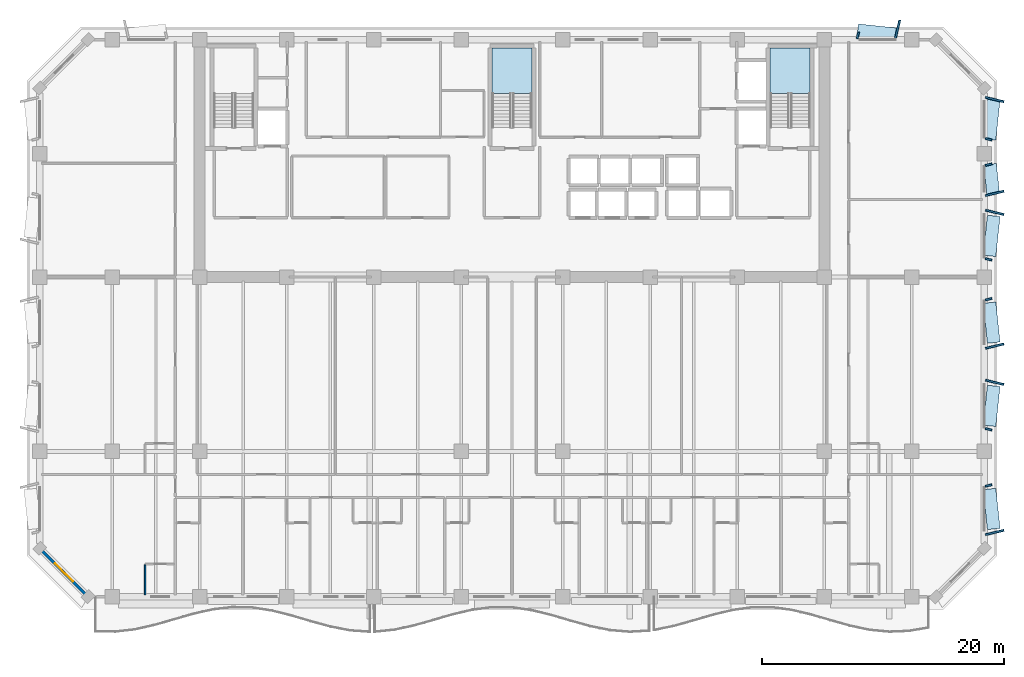
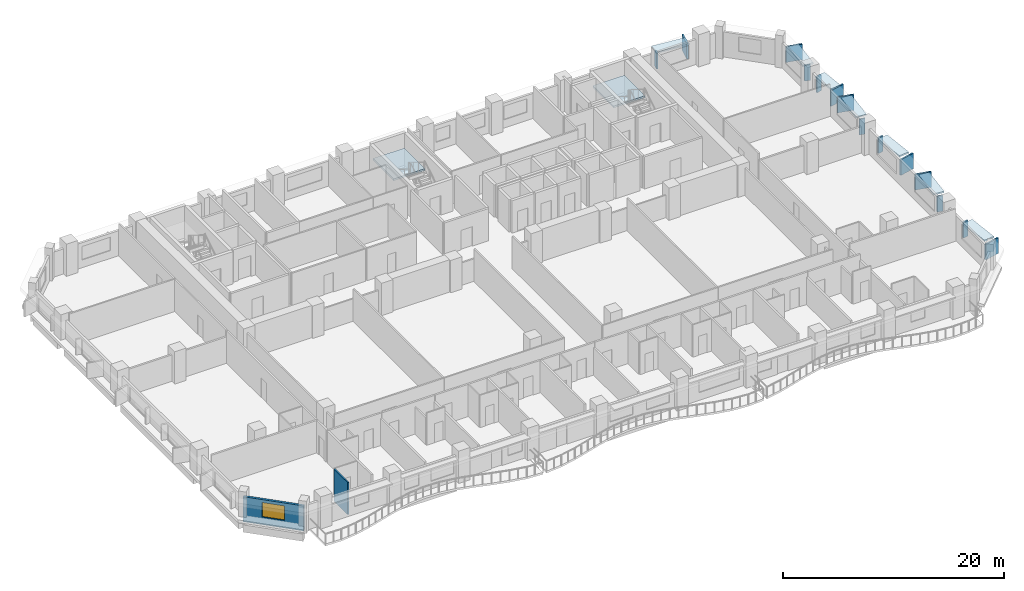
# One storey, part 3 of 15: 21 plates, 2 slabs, 2 walls, 1 window, 1 opening, 2 elements without a shape of their own.
"""IFC4 building model written with IfcOpenShell, lengths in metres."""

import ifcopenshell
import ifcopenshell.guid

model = None  # the IFC model being written
_history = None  # IfcOwnerHistory: only IFC2X3 demands one
_inside = {}  # id of a spatial element -> (the spatial element, [elements in it])
_under = {}  # id of a project, library or spatial element -> (it, [spatial elements below it])
_declared = {}  # id of a project -> (the project, [libraries it declares])
_typed = {}  # id of a type object -> (the type object, [elements of that type])
_made_of = {}  # id of a material, layer set ... -> (it, [elements and type objects made of it])


def new_model(schema):
    """Start an empty IFC model of exactly this schema.

    Asked for "IFC4X3", IfcOpenShell would pick the latest addendum, in which some entities
    have other attributes; the version numbers below select the first issue.
    IFC2X3 requires an IfcOwnerHistory on every rooted entity: one is made here for all.
    """
    global model, _history
    if schema == "IFC4X3":
        model = ifcopenshell.file(schema_version=(4, 3, 0, 0))
    else:
        model = ifcopenshell.file(schema=schema)
    _inside.clear()
    _under.clear()
    _declared.clear()
    _typed.clear()
    _made_of.clear()
    _history = None
    if model.schema == "IFC2X3":
        org = make("IfcOrganization", Name="unknown")
        user = make(
            "IfcPersonAndOrganization",
            ThePerson=make("IfcPerson", FamilyName="unknown"),
            TheOrganization=org,
        )
        app = make(
            "IfcApplication",
            ApplicationDeveloper=org,
            Version="unknown",
            ApplicationFullName="unknown",
            ApplicationIdentifier="unknown",
        )
        _history = make(
            "IfcOwnerHistory",
            OwningUser=user,
            OwningApplication=app,
            ChangeAction="ADDED",
            CreationDate=0,
        )
    return model


def make(cls, **values):
    """One entity of the class cls with the attributes given. An attribute that is None is left unset."""
    return model.create_entity(
        cls, **{name: value for name, value in values.items() if value is not None}
    )


def rooted(cls, **values):
    """An entity with a GlobalId (a new one), such as an element, a storey or a relation."""
    return make(cls, GlobalId=ifcopenshell.guid.new(), OwnerHistory=_history, **values)


def si_unit(unit_type, name, prefix=None):
    """IfcSIUnit, for example si_unit("LENGTHUNIT", "METRE", prefix="MILLI")."""
    return make("IfcSIUnit", UnitType=unit_type, Prefix=prefix, Name=name)


def assignment(units):
    """IfcUnitAssignment: the units of a project."""
    return None if units is None else make("IfcUnitAssignment", Units=units)


def point(xyz):
    """IfcCartesianPoint."""
    return None if xyz is None else make("IfcCartesianPoint", Coordinates=xyz)


def direction(xyz):
    """IfcDirection."""
    return None if xyz is None else make("IfcDirection", DirectionRatios=xyz)


def frame(location, z_axis=None, x_axis=None):
    """IfcAxis2Placement3D, a coordinate frame: its origin and axes. An axis left out is left unset."""
    return make(
        "IfcAxis2Placement3D",
        Location=point(location),
        Axis=direction(z_axis),
        RefDirection=direction(x_axis),
    )


def frame_2d(location, x_axis=None):
    """IfcAxis2Placement2D, a coordinate frame in the plane: its origin and x axis."""
    return make(
        "IfcAxis2Placement2D", Location=point(location), RefDirection=direction(x_axis)
    )


def origin():
    """The frame at (0, 0, 0) with its axes left unset."""
    return frame((0.0, 0.0, 0.0))


def origin_2d():
    """The frame at (0, 0) in the plane with its x axis left unset."""
    return frame_2d((0.0, 0.0))


def place(relative_to, where):
    """IfcLocalPlacement: puts the frame where relative to a parent placement (None: the world)."""
    return make(
        "IfcLocalPlacement", PlacementRelTo=relative_to, RelativePlacement=where
    )


def context(
    kind, dimensions, precision=None, world=None, true_north=None, identifier=None
):
    """IfcGeometricRepresentationContext, for example the 3D "Model" context."""
    return make(
        "IfcGeometricRepresentationContext",
        ContextIdentifier=identifier,
        ContextType=kind,
        CoordinateSpaceDimension=dimensions,
        Precision=precision,
        WorldCoordinateSystem=world,
        TrueNorth=true_north,
    )


def subcontext(parent, identifier, kind, view, scale=None):
    """IfcGeometricRepresentationSubContext, for example "Body" below "Model"."""
    return make(
        "IfcGeometricRepresentationSubContext",
        ContextIdentifier=identifier,
        ContextType=kind,
        ParentContext=parent,
        TargetScale=scale,
        TargetView=view,
    )


def project(units=None, contexts=None):
    """IfcProject with its units and contexts."""
    return rooted(
        "IfcProject",
        Name="project",
        RepresentationContexts=contexts,
        UnitsInContext=assignment(units),
    )


def spatial(cls, under=None, at=None, **own):
    """A site, building, storey or space (cls), placed at a placement, below another one or the project."""
    s = rooted(cls, ObjectPlacement=at, **own)
    if under is not None:
        _under.setdefault(under.id(), (under, []))[1].append(s)
    return s


def polyline(points):
    """IfcPolyline through the points."""
    return make("IfcPolyline", Points=[point(p) for p in points])


def profile(cls, at=None, kind="AREA", **sizes):
    """A parametric profile (cls). Its sizes go by their IFC names, for example OverallWidth=200.0."""
    return make(cls, ProfileType=kind, Position=at, **sizes)


def rectangle(**sizes):
    """IfcRectangleProfileDef."""
    return profile("IfcRectangleProfileDef", **sizes)


def outline(outer, holes=None, kind="AREA"):
    """IfcArbitraryClosedProfileDef: a profile drawn as a closed curve; with holes, ...WithVoids."""
    if holes is None:
        return make("IfcArbitraryClosedProfileDef", ProfileType=kind, OuterCurve=outer)
    return make(
        "IfcArbitraryProfileDefWithVoids",
        ProfileType=kind,
        OuterCurve=outer,
        InnerCurves=holes,
    )


def extrude(swept, where, along, depth):
    """IfcExtrudedAreaSolid: the profile swept, set in the frame where, extruded along a direction by depth."""
    return make(
        "IfcExtrudedAreaSolid",
        SweptArea=swept,
        Position=where,
        ExtrudedDirection=direction(along),
        Depth=depth,
    )


def shape(context_of_items, identifier, shape_type, items):
    """IfcShapeRepresentation: the items that make up one representation, for example the "Body"."""
    return make(
        "IfcShapeRepresentation",
        ContextOfItems=context_of_items,
        RepresentationIdentifier=identifier,
        RepresentationType=shape_type,
        Items=items,
    )


def material(Name=None, Category=None):
    """IfcMaterial."""
    return make("IfcMaterial", Name=Name, Category=Category)


def layer(
    of_material, thickness, ventilated=None, Name=None, Category=None, Priority=None
):
    """IfcMaterialLayer: one layer of a wall or slab, of a material (None: an air gap)."""
    return make(
        "IfcMaterialLayer",
        Material=of_material,
        LayerThickness=thickness,
        IsVentilated=ventilated,
        Name=Name,
        Category=Category,
        Priority=Priority,
    )


def layer_set(layers, Name=None):
    """IfcMaterialLayerSet."""
    return make("IfcMaterialLayerSet", MaterialLayers=layers, LayerSetName=Name)


def made_of(thing, what):
    """Note that an element or type object is made of a material, layer set ...; save() writes the relation."""
    if what is not None:
        _made_of.setdefault(what.id(), (what, []))[1].append(thing)
    return thing


def type_object(cls, material=None, **own):
    """A type object (cls), such as IfcWallType, which elements share."""
    return made_of(rooted(cls, **own), material)


def element(
    cls,
    number,
    at=None,
    inside=None,
    cuts=None,
    type_object=None,
    material=None,
    context=None,
    identifier="Body",
    shape_type=None,
    held_by="IfcProductDefinitionShape",
    body=None,
    shapes=None,
    **own,
):
    """One element of the class cls, such as IfcWall. Its Tag is "e" and its number.

    at: its placement. inside: the storey or other place that contains it. cuts: it is an
    opening in that element (IfcRelVoidsElement). A single representation is given by context,
    identifier, shape_type and body (its items); several are given by shapes. held_by: the class
    of the entity that holds the representations. save() writes the other relations.
    """
    e = rooted(cls, Tag="e%d" % number, ObjectPlacement=at, **own)
    if body is not None:
        shapes = [shape(context, identifier, shape_type, body)]
    if shapes is not None:
        e.Representation = make(held_by, Representations=shapes)
    if inside is not None:
        _inside.setdefault(inside.id(), (inside, []))[1].append(e)
    if cuts is not None:
        rooted(
            "IfcRelVoidsElement", RelatingBuildingElement=cuts, RelatedOpeningElement=e
        )
    if type_object is not None:
        _typed.setdefault(type_object.id(), (type_object, []))[1].append(e)
    return made_of(e, material)


def fill(opening, filler):
    """IfcRelFillsElement: the door or window that sits in an opening."""
    return rooted(
        "IfcRelFillsElement",
        RelatingOpeningElement=opening,
        RelatedBuildingElement=filler,
    )


def aggregate(whole, parts):
    """IfcRelAggregates: a whole, such as a stair, and the parts it consists of."""
    return rooted("IfcRelAggregates", RelatingObject=whole, RelatedObjects=parts)


def save(model, path):
    """Write the relations noted so far, then the file.

    IfcRelAggregates (storeys below a building ...), IfcRelContainedInSpatialStructure (elements
    in a storey), IfcRelDefinesByType, IfcRelAssociatesMaterial and IfcRelDeclares: one each for
    every whole, place, type object, material and project.
    """
    for whole, parts in _under.values():
        aggregate(whole, parts)
    for where, things in _inside.values():
        rooted(
            "IfcRelContainedInSpatialStructure",
            RelatedElements=things,
            RelatingStructure=where,
        )
    for kind, things in _typed.values():
        rooted("IfcRelDefinesByType", RelatedObjects=things, RelatingType=kind)
    for what, things in _made_of.values():
        rooted("IfcRelAssociatesMaterial", RelatedObjects=things, RelatingMaterial=what)
    for by, libraries in _declared.values():
        rooted("IfcRelDeclares", RelatingContext=by, RelatedDefinitions=libraries)
    model.write(path)


model = new_model("IFC4")

# Units and contexts
model_context = context("Model", 3, precision=1e-05, world=origin(), true_north=direction((0.0, 1.0)))
body_context = subcontext(model_context, "Body", "Model", "MODEL_VIEW")
ifc_project = project(units=[si_unit("LENGTHUNIT", "METRE"), si_unit("AREAUNIT", "SQUARE_METRE"), si_unit("VOLUMEUNIT", "CUBIC_METRE"), si_unit("PLANEANGLEUNIT", "RADIAN"), si_unit("MASSUNIT", "GRAM", prefix="KILO")], contexts=[model_context])

# Site, building, storey
site_placement = place(None, origin())
site = spatial("IfcSite", under=ifc_project, at=site_placement, CompositionType="ELEMENT")
building_placement = place(site_placement, origin())
building = spatial("IfcBuilding", under=site, at=building_placement, Name="Kaelvorn Grand Hotel", CompositionType="ELEMENT")
storey_placement = place(building_placement, frame((0.0, 0.0, 146.75)))
storey = spatial("IfcBuildingStorey", under=building, at=storey_placement, Name="L35", CompositionType="ELEMENT", Elevation=146.75)

# Plates
ifc_material_1 = material(Name="Precast concrete C45/55", Category="concrete")
ifc_layer_1 = layer(ifc_material_1, 0.159912109375)
ifc_layer_set_1 = layer_set([ifc_layer_1], Name="Precast concrete C45/55")
plate_type_1 = type_object("IfcPlateType", Name="PL-FRAME-DEEP-1550", PredefinedType="USERDEFINED", material=ifc_layer_set_1)
for number, where, z_axis, x_axis, name in (
    (1, (81.85498046875, 8.31005859375, 0.81494140625), (0.0, 0.0, 1.0), (-0.233445363856, 0.972369920398, 0.0), "L35 Tilted Precast Window Frame Fin L-E01"),
    (2, (81.85498046875, 20.705078125, 0.81494140625), (0.0, 0.0, 1.0), (0.233445363856, 0.972369920398, 0.0), "L35 Tilted Precast Window Frame Fin R-E02"),
    (3, (81.85498046875, 23.695068359375, 0.81494140625), (0.0, 0.0, 1.0), (-0.233445363856, 0.972369920398, 0.0), "L35 Tilted Precast Window Frame Fin L-E03"),
    (4, (81.85498046875, 34.739990234375, 0.81494140625), (0.0, 0.0, 1.0), (0.233445363856, 0.972369920398, 0.0), "L35 Tilted Precast Window Frame Fin R-E04"),
    (5, (81.85498046875, 36.31005859375, 0.7900390625), (0.0, 0.0, 1.0), (-0.233445363856, 0.972369920398, 0.0), "L35 Tilted Precast Window Frame Fin L-E05"),
    (6, (81.85498046875, 44.054931640625, 0.740234375), (0.0, 0.0, 1.0), (0.233445363856, 0.972369920398, 0.0), "L35 Tilted Precast Window Frame Fin R-E06"),
    (7, (73.840087890625, 49.85498046875, 0.740234375), (0.0, 0.0, 1.0), (0.972369920398, -0.233445363856, 0.0), "L35 Tilted Precast Window Frame Fin R-N02"),
):
    element("IfcPlate", number, at=place(storey_placement, frame(where, z_axis=z_axis, x_axis=x_axis)), inside=storey, type_object=plate_type_1, Name=name, ObjectType="FLANGE_PLATE", PredefinedType="USERDEFINED", context=body_context, shape_type="SweptSolid", body=[
        extrude(rectangle(XDim=0.159912109375, YDim=1.550048828125, at=origin_2d()), origin(), (0.0, 0.0, 1.0), 1.719970703125),
    ])
ifc_layer_2 = layer(ifc_material_1, 0.159912109375)
ifc_layer_set_2 = layer_set([ifc_layer_2], Name="Precast concrete C45/55")
plate_type_2 = type_object("IfcPlateType", Name="PL-FRAME-HEAD-1050", PredefinedType="USERDEFINED", material=ifc_layer_set_2)
for number, where, z_axis, x_axis, name in (
    (8, (81.60498046875, 10.25, 2.5), (0.0, 0.0, 1.0), (-0.105830199459, 0.994384215926, 0.0), "L35 Precast Window Frame Head Hood H-E01"),
    (9, (81.60498046875, 18.764892578125, 2.5), (0.0, 0.0, 1.0), (0.105830199459, 0.994384215926, 0.0), "L35 Precast Window Frame Head Hood H-E02"),
    (10, (81.60498046875, 25.635009765625, 2.5), (0.0, 0.0, 1.0), (-0.105830199459, 0.994384215926, 0.0), "L35 Precast Window Frame Head Hood H-E03"),
    (11, (81.60498046875, 32.800048828125, 2.5), (0.0, 0.0, 1.0), (0.105830199459, 0.994384215926, 0.0), "L35 Precast Window Frame Head Hood H-E04"),
):
    element("IfcPlate", number, at=place(storey_placement, frame(where, z_axis=z_axis, x_axis=x_axis)), inside=storey, type_object=plate_type_2, Name=name, ObjectType="FLANGE_PLATE", PredefinedType="USERDEFINED", context=body_context, shape_type="SweptSolid", body=[
        extrude(rectangle(XDim=3.320068359375, YDim=1.050048828125, at=origin_2d()), origin(), (0.0, 0.0, 1.0), 0.159912109375),
    ])
plate_placement = place(storey_placement, frame((81.60498046875, 37.5, 2.4501953125), z_axis=(0.0, 0.0, 1.0), x_axis=(-0.105830199459, 0.994384215926, 0.0)))
element("IfcPlate", 12, at=plate_placement, inside=storey, type_object=plate_type_2, Name="L35 Precast Window Frame Head Hood H-E05", ObjectType="FLANGE_PLATE", PredefinedType="USERDEFINED", context=body_context, shape_type="SweptSolid", body=[
    extrude(rectangle(XDim=2.4599609375, YDim=1.050048828125, at=origin_2d()), origin(), (0.0, 0.0, 1.0), 0.159912109375),
])
for number, where, z_axis, x_axis, name in (
    (13, (81.60498046875, 42.4150390625, 2.35009765625), (0.0, 0.0, 1.0), (0.105830199459, 0.994384215926, 0.0), "L35 Precast Window Frame Head Hood H-E06"),
    (14, (72.199951171875, 49.60498046875, 2.35009765625), (0.0, 0.0, 1.0), (0.994384215926, -0.105830199459, 0.0), "L35 Precast Window Frame Head Hood H-N02"),
):
    element("IfcPlate", number, at=place(storey_placement, frame(where, z_axis=z_axis, x_axis=x_axis)), inside=storey, type_object=plate_type_2, Name=name, ObjectType="FLANGE_PLATE", PredefinedType="USERDEFINED", context=body_context, shape_type="SweptSolid", body=[
        extrude(rectangle(XDim=3.320068359375, YDim=1.050048828125, at=origin_2d()), origin(), (0.0, 0.0, 1.0), 0.159912109375),
    ])
ifc_layer_3 = layer(ifc_material_1, 0.159912109375)
ifc_layer_set_3 = layer_set([ifc_layer_3], Name="Precast concrete C45/55")
plate_type_3 = type_object("IfcPlateType", Name="PL-FRAME-SHAL-550", PredefinedType="USERDEFINED", material=ifc_layer_set_3)
for number, where, z_axis, x_axis, name in (
    (15, (81.35498046875, 12.18994140625, 0.81494140625), (0.0, 0.0, 1.0), (-0.233445363856, 0.972369920398, 0.0), "L35 Tilted Precast Window Frame Fin R-E01"),
    (16, (81.35498046875, 16.824951171875, 0.81494140625), (0.0, 0.0, 1.0), (0.233445363856, 0.972369920398, 0.0), "L35 Tilted Precast Window Frame Fin L-E02"),
    (17, (81.35498046875, 27.574951171875, 0.81494140625), (0.0, 0.0, 1.0), (-0.233445363856, 0.972369920398, 0.0), "L35 Tilted Precast Window Frame Fin R-E03"),
    (18, (81.35498046875, 30.860107421875, 0.81494140625), (0.0, 0.0, 1.0), (0.233445363856, 0.972369920398, 0.0), "L35 Tilted Precast Window Frame Fin L-E04"),
    (19, (81.35498046875, 38.68994140625, 0.7900390625), (0.0, 0.0, 1.0), (-0.233445363856, 0.972369920398, 0.0), "L35 Tilted Precast Window Frame Fin R-E05"),
    (20, (81.35498046875, 40.77490234375, 0.740234375), (0.0, 0.0, 1.0), (0.233445363856, 0.972369920398, 0.0), "L35 Tilted Precast Window Frame Fin L-E06"),
    (21, (70.56005859375, 49.35498046875, 0.740234375), (0.0, 0.0, 1.0), (0.972369920398, -0.233445363856, 0.0), "L35 Tilted Precast Window Frame Fin L-N02"),
):
    element("IfcPlate", number, at=place(storey_placement, frame(where, z_axis=z_axis, x_axis=x_axis)), inside=storey, type_object=plate_type_3, Name=name, ObjectType="FLANGE_PLATE", PredefinedType="USERDEFINED", context=body_context, shape_type="SweptSolid", body=[
        extrude(rectangle(XDim=0.159912109375, YDim=0.550048828125, at=origin_2d()), origin(), (0.0, 0.0, 1.0), 1.719970703125),
    ])

# Stair, slab
ifc_material_2 = material(Name="Concrete C40/50", Category="concrete")
stair_type = type_object("IfcStairType", Name="STR-DOG-1560-R08", PredefinedType="HALF_TURN_STAIR", material=ifc_material_2)
stair_1_placement = place(storey_placement, origin())
stair_1 = element("IfcStair", 22, at=stair_1_placement, inside=storey, type_object=stair_type, Name="L35 Central Core Exit Stair ST2", PredefinedType="HALF_TURN_STAIR")
ifc_layer_4 = layer(ifc_material_2, 0.199951171875)
ifc_layer_set_4 = layer_set([ifc_layer_4], Name="Concrete C40/50")
slab_type = type_object("IfcSlabType", Name="SLB-LAND-200-C40", PredefinedType="LANDING", material=ifc_layer_set_4)
slab_1_placement = place(storey_placement, frame((0.0, 0.0, 1.699951171875)))
slab_1 = element("IfcSlab", 23, at=slab_1_placement, type_object=slab_type, Name="ST2 landing 1", PredefinedType="LANDING", context=body_context, shape_type="SweptSolid", body=[
    extrude(outline(polyline([(43.639892578125, 44.56005859375), (43.639892578125, 48.300048828125), (40.360107421875, 48.300048828125), (40.360107421875, 44.56005859375), (43.639892578125, 44.56005859375)])), origin(), (0.0, 0.0, 1.0), 0.199951171875),
])
aggregate(stair_1, [slab_1])

stair_2_placement = place(storey_placement, origin())
stair_2 = element("IfcStair", 24, at=stair_2_placement, inside=storey, type_object=stair_type, Name="L35 East Core Exit Stair ST3", PredefinedType="HALF_TURN_STAIR")
slab_2_placement = place(storey_placement, frame((0.0, 0.0, 1.699951171875)))
slab_2 = element("IfcSlab", 25, at=slab_2_placement, type_object=slab_type, Name="ST3 landing 1", PredefinedType="LANDING", context=body_context, shape_type="SweptSolid", body=[
    extrude(outline(polyline([(66.60009765625, 44.56005859375), (66.60009765625, 48.300048828125), (63.320068359375, 48.300048828125), (63.320068359375, 44.56005859375), (66.60009765625, 44.56005859375)])), origin(), (0.0, 0.0, 1.0), 0.199951171875),
])
aggregate(stair_2, [slab_2])

# Wall, opening, window
ifc_layer_5 = layer(ifc_material_2, 0.239990234375)
ifc_layer_set_5 = layer_set([ifc_layer_5], Name="Concrete C40/50")
wall_type_1 = type_object("IfcWallType", Name="WL-EXT-240-C40", PredefinedType="SOLIDWALL", material=ifc_layer_set_5)
wall_1_placement = place(storey_placement, frame((3.0, 7.0, 0.0), z_axis=(0.0, 0.0, 1.0), x_axis=(0.707106781187, -0.707106781187, 0.0)))
wall_1 = element("IfcWall", 26, at=wall_1_placement, inside=storey, type_object=wall_type_1, Name="L35 Exterior Architectural Concrete Wall 08", PredefinedType="SOLIDWALL", context=body_context, shape_type="SweptSolid", body=[
    extrude(rectangle(XDim=5.65673828125, YDim=0.239990234375, at=frame_2d((2.828369140625, 0.0))), origin(), (0.0, 0.0, 1.0), 2.760009765625),
])
opening_placement = place(wall_1_placement, frame((1.7783203125, 0.0, 0.85009765625)))
opening = element("IfcOpeningElement", 27, at=opening_placement, cuts=wall_1, Name="Opening W7", PredefinedType="OPENING", context=body_context, shape_type="SweptSolid", body=[
    extrude(rectangle(XDim=2.10009765625, YDim=1.60009765625, at=frame_2d((1.050048828125, 0.800048828125))), frame((0.0, 0.1298828125, 0.0), z_axis=(0.0, -1.0, 0.0), x_axis=(1.0, 0.0, 0.0)), (0.0, 0.0, 1.0), 0.260009765625),
])
ifc_material_3 = material(Name="Laminated Low-E Glass", Category="glass")
window_type = type_object("IfcWindowType", Name="WIN-CHM-2100x1600", PartitioningType="SINGLE_PANEL", PredefinedType="WINDOW", material=ifc_material_3)
window_placement = place(opening_placement, origin())
window = element("IfcWindow", 28, at=window_placement, inside=storey, type_object=window_type, Name="L35 Chamfered 45-Degree Corner Window SW", OverallHeight=1.60009765625, OverallWidth=2.10009765625, PartitioningType="SINGLE_PANEL", PredefinedType="WINDOW", context=body_context, shape_type="SweptSolid", body=[
    extrude(rectangle(XDim=2.10009765625, YDim=1.60009765625, at=frame_2d((1.050048828125, 0.800048828125))), frame((0.0, 0.030029296875, 0.0), z_axis=(0.0, -1.0, 0.0), x_axis=(1.0, 0.0, 0.0)), (0.0, 0.0, 1.0), 0.06005859375),
])
fill(opening, window)

# Wall
ifc_material_4 = material(Name="Moisture-Resistant Tile & Stud Board")
ifc_layer_6 = layer(ifc_material_4, 0.125)
ifc_layer_set_6 = layer_set([ifc_layer_6], Name="Moisture-Resistant Tile & Stud Board")
wall_type_2 = type_object("IfcWallType", Name="WL-PART-125-WET", PredefinedType="PARTITIONING", material=ifc_layer_set_6)
wall_2_placement = place(storey_placement, frame((11.699951171875, 3.14990234375, 0.0), z_axis=(0.0, 0.0, 1.0), x_axis=(0.0, 1.0, 0.0)))
element("IfcWall", 29, at=wall_2_placement, inside=storey, type_object=wall_type_2, Name="L35 En-suite Bathroom L35-11 W Partition", PredefinedType="PARTITIONING", context=body_context, shape_type="SweptSolid", body=[
    extrude(rectangle(XDim=2.482666015625, YDim=0.125, at=frame_2d((1.2412109375, 0.0))), origin(), (0.0, 0.0, 1.0), 3.56005859375),
])

save(model, "model.ifc")
